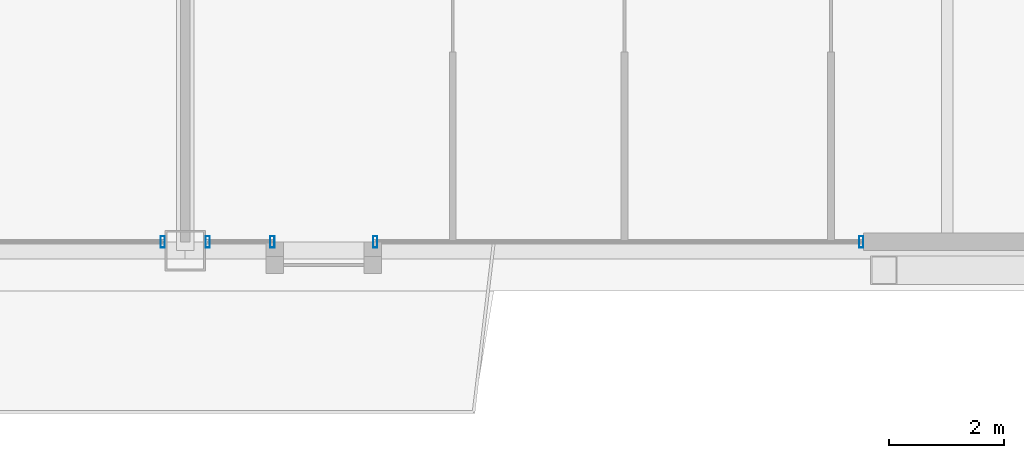
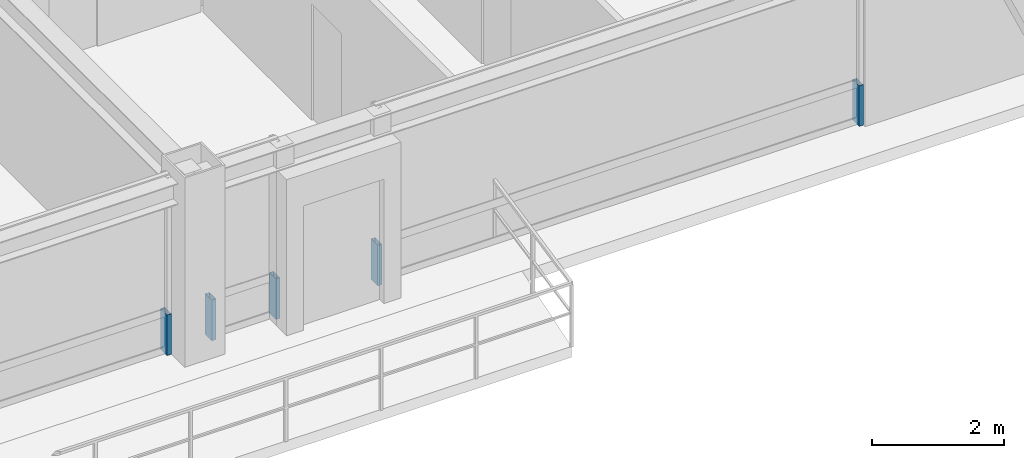
# One storey, part 22 of 34: 5 members, 3 elements without a shape of their own.
"""IFC4 building model written with IfcOpenShell, lengths in metres."""

from ifc_helpers import new_model, si_unit, direction, frame, origin, origin_2d, place, context, subcontext, project, spatial, hollow_rectangle, extrude, source, transform, mapped, material, layer, layer_set, material_profile, profile_set, type_object, element, aggregate, save


model = new_model("IFC4")

# Units and contexts
model_context = context("Model", 3, precision=1e-05, world=origin(), true_north=direction((0.0, 1.0)))
body_context = subcontext(model_context, "Body", "Model", "MODEL_VIEW")
ifc_project = project(units=[si_unit("LENGTHUNIT", "METRE"), si_unit("AREAUNIT", "SQUARE_METRE"), si_unit("VOLUMEUNIT", "CUBIC_METRE"), si_unit("PLANEANGLEUNIT", "RADIAN"), si_unit("MASSUNIT", "GRAM", prefix="KILO"), si_unit("THERMODYNAMICTEMPERATUREUNIT", "KELVIN"), si_unit("POWERUNIT", "WATT")], contexts=[model_context])

# Site, building, storey
site_placement = place(None, origin())
site = spatial("IfcSite", under=ifc_project, at=site_placement, CompositionType="ELEMENT")
building_placement = place(site_placement, origin())
building = spatial("IfcBuilding", under=site, at=building_placement, Name="Yuzanri Waterfront Tower", CompositionType="ELEMENT")
storey_placement = place(building_placement, frame((0.0, 0.0, 328.699951171875)))
storey = spatial("IfcBuildingStorey", under=building, at=storey_placement, Name="L88", CompositionType="ELEMENT", Elevation=328.699951171875)

# Curtain wall, member
ifc_material_1 = material(Name="Anodized Architectural Bronze", Category="metal")
ifc_layer = layer(ifc_material_1, 0.159912109375)
ifc_layer_set = layer_set([ifc_layer], Name="Anodized Architectural Bronze")
curtain_wall_type = type_object("IfcCurtainWallType", Name="Anodized Bronze High-Rise Penthouse High-Wind Unitized Curtain Wall 6900", PredefinedType="NOTDEFINED", material=ifc_layer_set)
curtain_wall_1_placement = place(storey_placement, origin())
curtain_wall_1 = element("IfcCurtainWall", 1, at=curtain_wall_1_placement, inside=storey, type_object=curtain_wall_type, Name="L88 Curtain Wall CW-L88-SL", PredefinedType="NOTDEFINED")
ifc_material_2 = material(Name="Anodized Architectural Bronze", Category="metal")
ifc_material_profile = material_profile(ifc_material_2, hollow_rectangle(XDim=0.074951171875, YDim=0.199951171875, WallThickness=0.00390625, at=origin_2d()), Name="CWM 75x200")
ifc_profile_set = profile_set([ifc_material_profile], Name="Anodized Architectural Bronze")
member_type = type_object("IfcMemberType", Name="Anodized Bronze Primary Curtain-Wall Mullion 75x200", PredefinedType="MULLION", material=ifc_profile_set)
shared_shape = source(origin(), body_context, "Body", "SweptSolid", [
    extrude(hollow_rectangle(XDim=0.074951171875, YDim=0.199951171875, WallThickness=0.00390625, at=origin_2d()), origin(), (0.0, 0.0, 1.0), 0.751953125),
])
member_1_placement = place(storey_placement, frame((36.610107421875, 6.85009765625, 0.0), z_axis=(0.0, 0.0, 1.0), x_axis=(1.0, 0.0, 0.0)))
member_1 = element("IfcMember", 2, at=member_1_placement, type_object=member_type, Name="CW-L88-SL Lower Mullion 02", PredefinedType="MULLION", context=body_context, shape_type="MappedRepresentation", body=[
    mapped(shared_shape, transform((0.0, 0.0, 0.0), scale=1.0)),
])
aggregate(curtain_wall_1, [member_1])

# Curtain wall, members
curtain_wall_2_placement = place(storey_placement, origin())
curtain_wall_2 = element("IfcCurtainWall", 3, at=curtain_wall_2_placement, inside=storey, type_object=curtain_wall_type, Name="L88 Curtain Wall CW-L88-SR1", PredefinedType="NOTDEFINED")
member_2_placement = place(storey_placement, frame((37.389892578125, 6.85009765625, 0.0), z_axis=(0.0, 0.0, 1.0), x_axis=(1.0, 0.0, 0.0)))
member_2 = element("IfcMember", 4, at=member_2_placement, type_object=member_type, Name="CW-L88-SR1 Lower Mullion 00", PredefinedType="MULLION", context=body_context, shape_type="MappedRepresentation", body=[
    mapped(shared_shape, transform((0.0, 0.0, 0.0), scale=1.0)),
])
member_3_placement = place(storey_placement, frame((38.510009765625, 6.85009765625, 0.0), z_axis=(0.0, 0.0, 1.0), x_axis=(1.0, 0.0, 0.0)))
member_3 = element("IfcMember", 5, at=member_3_placement, type_object=member_type, Name="CW-L88-SR1 Lower Mullion 01", PredefinedType="MULLION", context=body_context, shape_type="MappedRepresentation", body=[
    mapped(shared_shape, transform((0.0, 0.0, 0.0), scale=1.0)),
])
aggregate(curtain_wall_2, [member_2, member_3])

curtain_wall_3_placement = place(storey_placement, origin())
curtain_wall_3 = element("IfcCurtainWall", 6, at=curtain_wall_3_placement, inside=storey, type_object=curtain_wall_type, Name="L88 Curtain Wall CW-L88-SR2", PredefinedType="NOTDEFINED")
member_4_placement = place(storey_placement, frame((40.2900390625, 6.85009765625, 0.0), z_axis=(0.0, 0.0, 1.0), x_axis=(1.0, 0.0, 0.0)))
member_4 = element("IfcMember", 7, at=member_4_placement, type_object=member_type, Name="CW-L88-SR2 Lower Mullion 00", PredefinedType="MULLION", context=body_context, shape_type="MappedRepresentation", body=[
    mapped(shared_shape, transform((0.0, 0.0, 0.0), scale=1.0)),
])
member_5_placement = place(storey_placement, frame((48.7099609375, 6.85009765625, 0.0), z_axis=(0.0, 0.0, 1.0), x_axis=(1.0, 0.0, 0.0)))
member_5 = element("IfcMember", 8, at=member_5_placement, type_object=member_type, Name="CW-L88-SR2 Lower Mullion 01", PredefinedType="MULLION", context=body_context, shape_type="MappedRepresentation", body=[
    mapped(shared_shape, transform((0.0, 0.0, 0.0), scale=1.0)),
])
aggregate(curtain_wall_3, [member_4, member_5])

save(model, "model.ifc")
